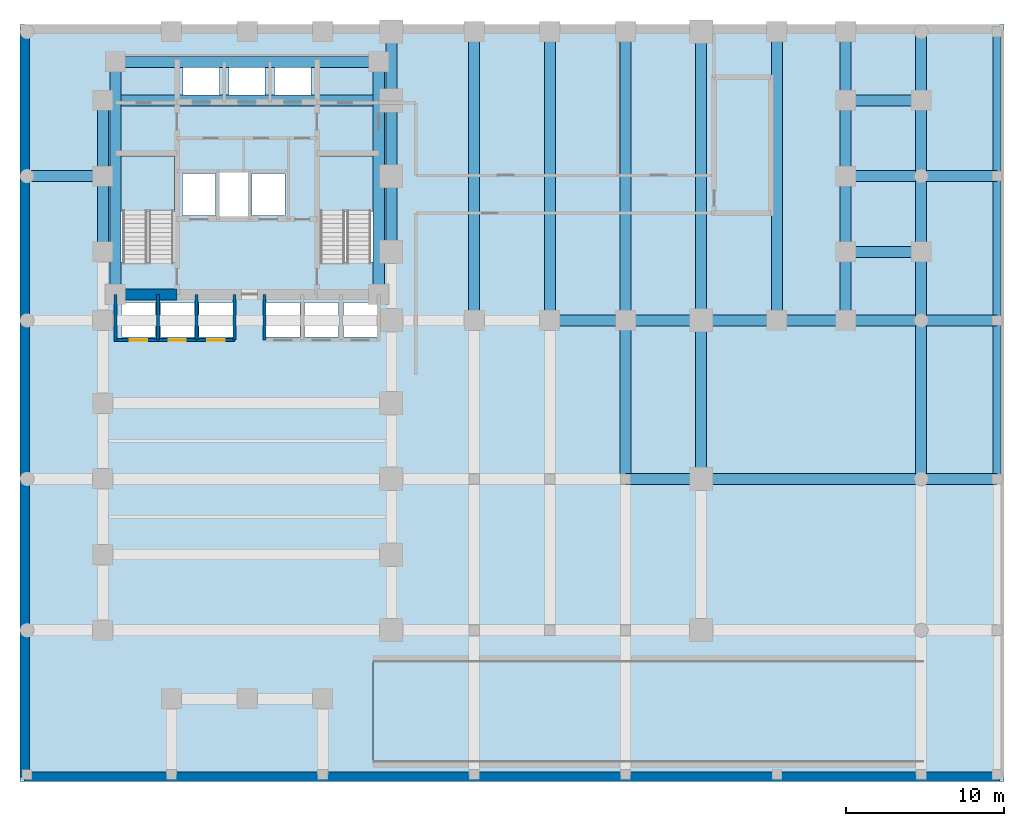
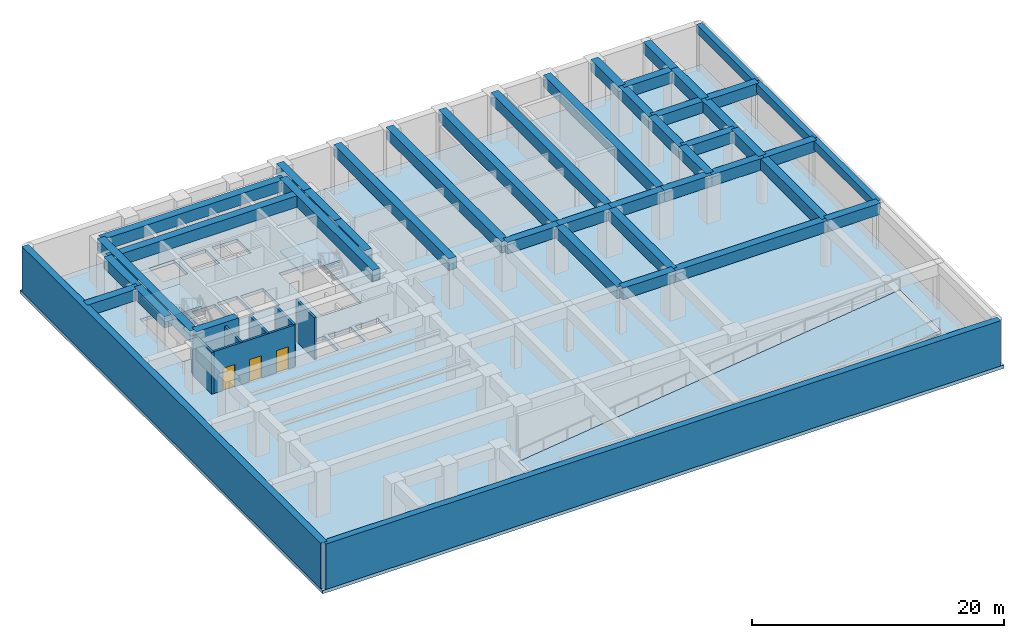
# One storey, part 2 of 6: 42 beams, 9 walls, 4 slabs, 3 doors, 3 openings, 2 elements without a shape of their own.
"""IFC4 building model written with IfcOpenShell, lengths in metres."""

import ifcopenshell
import ifcopenshell.guid

model = None  # the IFC model being written
_history = None  # IfcOwnerHistory: only IFC2X3 demands one
_inside = {}  # id of a spatial element -> (the spatial element, [elements in it])
_under = {}  # id of a project, library or spatial element -> (it, [spatial elements below it])
_declared = {}  # id of a project -> (the project, [libraries it declares])
_typed = {}  # id of a type object -> (the type object, [elements of that type])
_made_of = {}  # id of a material, layer set ... -> (it, [elements and type objects made of it])


def new_model(schema):
    """Start an empty IFC model of exactly this schema.

    Asked for "IFC4X3", IfcOpenShell would pick the latest addendum, in which some entities
    have other attributes; the version numbers below select the first issue.
    IFC2X3 requires an IfcOwnerHistory on every rooted entity: one is made here for all.
    """
    global model, _history
    if schema == "IFC4X3":
        model = ifcopenshell.file(schema_version=(4, 3, 0, 0))
    else:
        model = ifcopenshell.file(schema=schema)
    _inside.clear()
    _under.clear()
    _declared.clear()
    _typed.clear()
    _made_of.clear()
    _history = None
    if model.schema == "IFC2X3":
        org = make("IfcOrganization", Name="unknown")
        user = make(
            "IfcPersonAndOrganization",
            ThePerson=make("IfcPerson", FamilyName="unknown"),
            TheOrganization=org,
        )
        app = make(
            "IfcApplication",
            ApplicationDeveloper=org,
            Version="unknown",
            ApplicationFullName="unknown",
            ApplicationIdentifier="unknown",
        )
        _history = make(
            "IfcOwnerHistory",
            OwningUser=user,
            OwningApplication=app,
            ChangeAction="ADDED",
            CreationDate=0,
        )
    return model


def make(cls, **values):
    """One entity of the class cls with the attributes given. An attribute that is None is left unset."""
    return model.create_entity(
        cls, **{name: value for name, value in values.items() if value is not None}
    )


def rooted(cls, **values):
    """An entity with a GlobalId (a new one), such as an element, a storey or a relation."""
    return make(cls, GlobalId=ifcopenshell.guid.new(), OwnerHistory=_history, **values)


def si_unit(unit_type, name, prefix=None):
    """IfcSIUnit, for example si_unit("LENGTHUNIT", "METRE", prefix="MILLI")."""
    return make("IfcSIUnit", UnitType=unit_type, Prefix=prefix, Name=name)


def assignment(units):
    """IfcUnitAssignment: the units of a project."""
    return None if units is None else make("IfcUnitAssignment", Units=units)


def point(xyz):
    """IfcCartesianPoint."""
    return None if xyz is None else make("IfcCartesianPoint", Coordinates=xyz)


def direction(xyz):
    """IfcDirection."""
    return None if xyz is None else make("IfcDirection", DirectionRatios=xyz)


def frame(location, z_axis=None, x_axis=None):
    """IfcAxis2Placement3D, a coordinate frame: its origin and axes. An axis left out is left unset."""
    return make(
        "IfcAxis2Placement3D",
        Location=point(location),
        Axis=direction(z_axis),
        RefDirection=direction(x_axis),
    )


def frame_2d(location, x_axis=None):
    """IfcAxis2Placement2D, a coordinate frame in the plane: its origin and x axis."""
    return make(
        "IfcAxis2Placement2D", Location=point(location), RefDirection=direction(x_axis)
    )


def origin():
    """The frame at (0, 0, 0) with its axes left unset."""
    return frame((0.0, 0.0, 0.0))


def origin_2d():
    """The frame at (0, 0) in the plane with its x axis left unset."""
    return frame_2d((0.0, 0.0))


def place(relative_to, where):
    """IfcLocalPlacement: puts the frame where relative to a parent placement (None: the world)."""
    return make(
        "IfcLocalPlacement", PlacementRelTo=relative_to, RelativePlacement=where
    )


def context(
    kind, dimensions, precision=None, world=None, true_north=None, identifier=None
):
    """IfcGeometricRepresentationContext, for example the 3D "Model" context."""
    return make(
        "IfcGeometricRepresentationContext",
        ContextIdentifier=identifier,
        ContextType=kind,
        CoordinateSpaceDimension=dimensions,
        Precision=precision,
        WorldCoordinateSystem=world,
        TrueNorth=true_north,
    )


def subcontext(parent, identifier, kind, view, scale=None):
    """IfcGeometricRepresentationSubContext, for example "Body" below "Model"."""
    return make(
        "IfcGeometricRepresentationSubContext",
        ContextIdentifier=identifier,
        ContextType=kind,
        ParentContext=parent,
        TargetScale=scale,
        TargetView=view,
    )


def project(units=None, contexts=None):
    """IfcProject with its units and contexts."""
    return rooted(
        "IfcProject",
        Name="project",
        RepresentationContexts=contexts,
        UnitsInContext=assignment(units),
    )


def spatial(cls, under=None, at=None, **own):
    """A site, building, storey or space (cls), placed at a placement, below another one or the project."""
    s = rooted(cls, ObjectPlacement=at, **own)
    if under is not None:
        _under.setdefault(under.id(), (under, []))[1].append(s)
    return s


def polyline(points):
    """IfcPolyline through the points."""
    return make("IfcPolyline", Points=[point(p) for p in points])


def profile(cls, at=None, kind="AREA", **sizes):
    """A parametric profile (cls). Its sizes go by their IFC names, for example OverallWidth=200.0."""
    return make(cls, ProfileType=kind, Position=at, **sizes)


def rectangle(**sizes):
    """IfcRectangleProfileDef."""
    return profile("IfcRectangleProfileDef", **sizes)


def outline(outer, holes=None, kind="AREA"):
    """IfcArbitraryClosedProfileDef: a profile drawn as a closed curve; with holes, ...WithVoids."""
    if holes is None:
        return make("IfcArbitraryClosedProfileDef", ProfileType=kind, OuterCurve=outer)
    return make(
        "IfcArbitraryProfileDefWithVoids",
        ProfileType=kind,
        OuterCurve=outer,
        InnerCurves=holes,
    )


def extrude(swept, where, along, depth):
    """IfcExtrudedAreaSolid: the profile swept, set in the frame where, extruded along a direction by depth."""
    return make(
        "IfcExtrudedAreaSolid",
        SweptArea=swept,
        Position=where,
        ExtrudedDirection=direction(along),
        Depth=depth,
    )


def shape(context_of_items, identifier, shape_type, items):
    """IfcShapeRepresentation: the items that make up one representation, for example the "Body"."""
    return make(
        "IfcShapeRepresentation",
        ContextOfItems=context_of_items,
        RepresentationIdentifier=identifier,
        RepresentationType=shape_type,
        Items=items,
    )


def material(Name=None, Category=None):
    """IfcMaterial."""
    return make("IfcMaterial", Name=Name, Category=Category)


def layer(
    of_material, thickness, ventilated=None, Name=None, Category=None, Priority=None
):
    """IfcMaterialLayer: one layer of a wall or slab, of a material (None: an air gap)."""
    return make(
        "IfcMaterialLayer",
        Material=of_material,
        LayerThickness=thickness,
        IsVentilated=ventilated,
        Name=Name,
        Category=Category,
        Priority=Priority,
    )


def layer_set(layers, Name=None):
    """IfcMaterialLayerSet."""
    return make("IfcMaterialLayerSet", MaterialLayers=layers, LayerSetName=Name)


def material_profile(
    of_material, cross_section, Name=None, Category=None, Priority=None
):
    """IfcMaterialProfile: a cross section and its material."""
    return make(
        "IfcMaterialProfile",
        Name=Name,
        Material=of_material,
        Profile=cross_section,
        Priority=Priority,
        Category=Category,
    )


def profile_set(profiles, Name=None, composite=None):
    """IfcMaterialProfileSet."""
    return make(
        "IfcMaterialProfileSet",
        Name=Name,
        MaterialProfiles=profiles,
        CompositeProfile=composite,
    )


def made_of(thing, what):
    """Note that an element or type object is made of a material, layer set ...; save() writes the relation."""
    if what is not None:
        _made_of.setdefault(what.id(), (what, []))[1].append(thing)
    return thing


def type_object(cls, material=None, **own):
    """A type object (cls), such as IfcWallType, which elements share."""
    return made_of(rooted(cls, **own), material)


def element(
    cls,
    number,
    at=None,
    inside=None,
    cuts=None,
    type_object=None,
    material=None,
    context=None,
    identifier="Body",
    shape_type=None,
    held_by="IfcProductDefinitionShape",
    body=None,
    shapes=None,
    **own,
):
    """One element of the class cls, such as IfcWall. Its Tag is "e" and its number.

    at: its placement. inside: the storey or other place that contains it. cuts: it is an
    opening in that element (IfcRelVoidsElement). A single representation is given by context,
    identifier, shape_type and body (its items); several are given by shapes. held_by: the class
    of the entity that holds the representations. save() writes the other relations.
    """
    e = rooted(cls, Tag="e%d" % number, ObjectPlacement=at, **own)
    if body is not None:
        shapes = [shape(context, identifier, shape_type, body)]
    if shapes is not None:
        e.Representation = make(held_by, Representations=shapes)
    if inside is not None:
        _inside.setdefault(inside.id(), (inside, []))[1].append(e)
    if cuts is not None:
        rooted(
            "IfcRelVoidsElement", RelatingBuildingElement=cuts, RelatedOpeningElement=e
        )
    if type_object is not None:
        _typed.setdefault(type_object.id(), (type_object, []))[1].append(e)
    return made_of(e, material)


def fill(opening, filler):
    """IfcRelFillsElement: the door or window that sits in an opening."""
    return rooted(
        "IfcRelFillsElement",
        RelatingOpeningElement=opening,
        RelatedBuildingElement=filler,
    )


def aggregate(whole, parts):
    """IfcRelAggregates: a whole, such as a stair, and the parts it consists of."""
    return rooted("IfcRelAggregates", RelatingObject=whole, RelatedObjects=parts)


def save(model, path):
    """Write the relations noted so far, then the file.

    IfcRelAggregates (storeys below a building ...), IfcRelContainedInSpatialStructure (elements
    in a storey), IfcRelDefinesByType, IfcRelAssociatesMaterial and IfcRelDeclares: one each for
    every whole, place, type object, material and project.
    """
    for whole, parts in _under.values():
        aggregate(whole, parts)
    for where, things in _inside.values():
        rooted(
            "IfcRelContainedInSpatialStructure",
            RelatedElements=things,
            RelatingStructure=where,
        )
    for kind, things in _typed.values():
        rooted("IfcRelDefinesByType", RelatedObjects=things, RelatingType=kind)
    for what, things in _made_of.values():
        rooted("IfcRelAssociatesMaterial", RelatedObjects=things, RelatingMaterial=what)
    for by, libraries in _declared.values():
        rooted("IfcRelDeclares", RelatingContext=by, RelatedDefinitions=libraries)
    model.write(path)


model = new_model("IFC4")

# Units and contexts
model_context = context("Model", 3, precision=1e-05, world=origin(), true_north=direction((0.0, 1.0)))
body_context = subcontext(model_context, "Body", "Model", "MODEL_VIEW")
ifc_project = project(units=[si_unit("LENGTHUNIT", "METRE"), si_unit("AREAUNIT", "SQUARE_METRE"), si_unit("VOLUMEUNIT", "CUBIC_METRE"), si_unit("PLANEANGLEUNIT", "RADIAN"), si_unit("MASSUNIT", "GRAM", prefix="KILO")], contexts=[model_context])

# Site, building, storey
site_placement = place(None, origin())
site = spatial("IfcSite", under=ifc_project, at=site_placement, CompositionType="ELEMENT")
building_placement = place(site_placement, origin())
building = spatial("IfcBuilding", under=site, at=building_placement, Name="Orvandelia Arch Residences", CompositionType="ELEMENT")
storey_placement = place(building_placement, frame((0.0, 0.0, -4.39990234375)))
storey = spatial("IfcBuildingStorey", under=building, at=storey_placement, Name="B1", CompositionType="ELEMENT", Elevation=-4.39990234375)

# Beams
ifc_material_1 = material(Name="Concrete C50/60", Category="concrete")
ifc_material_profile_1 = material_profile(ifc_material_1, rectangle(XDim=0.5, YDim=0.85009765625, at=origin_2d()), Name="Concrete C50/60", Category="concrete")
ifc_profile_set_1 = profile_set([ifc_material_profile_1], Name="Concrete C50/60")
beam_type_1 = type_object("IfcBeamType", Name="BM-RC-500x850", PredefinedType="T_BEAM", material=ifc_profile_set_1)
beam_1_placement = place(storey_placement, frame((61.949951171875, 19.199951171875, 3.974853515625), z_axis=(0.0, 1.0, 0.0), x_axis=(-1.0, 0.0, 0.0)))
element("IfcBeam", 1, at=beam_1_placement, inside=storey, type_object=beam_type_1, Name="Basement Perimeter Edge Beam B1-192", PredefinedType="T_BEAM", context=body_context, shape_type="SweptSolid", body=[
    extrude(rectangle(XDim=0.5, YDim=0.85009765625, at=origin_2d()), origin(), (0.0, 0.0, 1.0), 10.050048828125),
])
beam_2_placement = place(storey_placement, frame((61.949951171875, 29.25, 3.974853515625), z_axis=(0.0, 1.0, 0.0), x_axis=(-1.0, 0.0, 0.0)))
element("IfcBeam", 2, at=beam_2_placement, inside=storey, type_object=beam_type_1, Name="Basement Perimeter Edge Beam B1-292", PredefinedType="T_BEAM", context=body_context, shape_type="SweptSolid", body=[
    extrude(rectangle(XDim=0.5, YDim=0.85009765625, at=origin_2d()), origin(), (0.0, 0.0, 1.0), 9.14990234375),
])
beam_3_placement = place(storey_placement, frame((61.949951171875, 38.39990234375, 3.974853515625), z_axis=(0.0, 1.0, 0.0), x_axis=(-1.0, 0.0, 0.0)))
element("IfcBeam", 3, at=beam_3_placement, inside=storey, type_object=beam_type_1, Name="Basement Perimeter Edge Beam B1-384", PredefinedType="T_BEAM", context=body_context, shape_type="SweptSolid", body=[
    extrude(rectangle(XDim=0.5, YDim=0.85009765625, at=origin_2d()), origin(), (0.0, 0.0, 1.0), 9.150146484375),
])
ifc_material_2 = material(Name="Concrete C60/75", Category="concrete")
ifc_material_profile_2 = material_profile(ifc_material_2, rectangle(XDim=0.699951171875, YDim=1.10009765625, at=origin_2d()), Name="Concrete C60/75", Category="concrete")
ifc_profile_set_2 = profile_set([ifc_material_profile_2], Name="Concrete C60/75")
beam_type_2 = type_object("IfcBeamType", Name="BM-RC-700x1100", PredefinedType="BEAM", material=ifc_profile_set_2)
beam_4_placement = place(storey_placement, frame((5.25, 33.60009765625, 3.849853515625), z_axis=(0.0, 1.0, 0.0), x_axis=(-1.0, 0.0, 0.0)))
element("IfcBeam", 4, at=beam_4_placement, inside=storey, type_object=beam_type_2, Name="Structural Frame Beam B1-NS-006", PredefinedType="BEAM", context=body_context, shape_type="SweptSolid", body=[
    extrude(rectangle(XDim=0.699951171875, YDim=1.10009765625, at=origin_2d()), origin(), (0.0, 0.0, 1.0), 4.7998046875),
])
beam_5_placement = place(storey_placement, frame((5.25, 38.39990234375, 3.849853515625), z_axis=(0.0, 1.0, 0.0), x_axis=(-1.0, 0.0, 0.0)))
element("IfcBeam", 5, at=beam_5_placement, inside=storey, type_object=beam_type_2, Name="Structural Frame Beam B1-NS-007", PredefinedType="BEAM", context=body_context, shape_type="SweptSolid", body=[
    extrude(rectangle(XDim=0.699951171875, YDim=1.10009765625, at=origin_2d()), origin(), (0.0, 0.0, 1.0), 4.800048828125),
])
for number, where, z_axis, x_axis, name in (
    (6, (6.050048828125, 30.89990234375, 3.849853515625), (0.0, 1.0, 0.0), (-1.0, 0.0, 0.0), "Structural Frame Beam B1-NS-008"),
    (7, (22.75, 30.89990234375, 3.849853515625), (0.0, 1.0, 0.0), (-1.0, 0.0, 0.0), "Structural Frame Beam B1-NS-011"),
):
    element("IfcBeam", number, at=place(storey_placement, frame(where, z_axis=z_axis, x_axis=x_axis)), inside=storey, type_object=beam_type_2, Name=name, PredefinedType="BEAM", context=body_context, shape_type="SweptSolid", body=[
        extrude(rectangle(XDim=0.699951171875, YDim=1.10009765625, at=origin_2d()), origin(), (0.0, 0.0, 1.0), 14.75),
    ])
beam_6_placement = place(storey_placement, frame((23.550048828125, 33.60009765625, 3.849853515625), z_axis=(0.0, 1.0, 0.0), x_axis=(-1.0, 0.0, 0.0)))
element("IfcBeam", 8, at=beam_6_placement, inside=storey, type_object=beam_type_2, Name="Structural Frame Beam B1-NS-017", PredefinedType="BEAM", context=body_context, shape_type="SweptSolid", body=[
    extrude(rectangle(XDim=0.699951171875, YDim=1.10009765625, at=origin_2d()), origin(), (0.0, 0.0, 1.0), 4.7998046875),
])
beam_7_placement = place(storey_placement, frame((23.550048828125, 38.39990234375, 3.849853515625), z_axis=(0.0, 1.0, 0.0), x_axis=(-1.0, 0.0, 0.0)))
element("IfcBeam", 9, at=beam_7_placement, inside=storey, type_object=beam_type_2, Name="Structural Frame Beam B1-NS-018", PredefinedType="BEAM", context=body_context, shape_type="SweptSolid", body=[
    extrude(rectangle(XDim=0.699951171875, YDim=1.10009765625, at=origin_2d()), origin(), (0.0, 0.0, 1.0), 4.800048828125),
])
beam_8_placement = place(storey_placement, frame((23.550048828125, 43.199951171875, 3.849853515625), z_axis=(0.0, 1.0, 0.0), x_axis=(-1.0, 0.0, 0.0)))
element("IfcBeam", 10, at=beam_8_placement, inside=storey, type_object=beam_type_2, Name="Structural Frame Beam B1-NS-019", PredefinedType="BEAM", context=body_context, shape_type="SweptSolid", body=[
    extrude(rectangle(XDim=0.699951171875, YDim=1.10009765625, at=origin_2d()), origin(), (0.0, 0.0, 1.0), 4.35009765625),
])
for number, where, z_axis, x_axis, name in (
    (11, (28.800048828125, 29.25, 3.849853515625), (0.0, 1.0, 0.0), (-1.0, 0.0, 0.0), "Structural Frame Beam B1-NS-023"),
    (12, (33.60009765625, 29.25, 3.849853515625), (0.0, 1.0, 0.0), (-1.0, 0.0, 0.0), "Structural Frame Beam B1-NS-026"),
):
    element("IfcBeam", number, at=place(storey_placement, frame(where, z_axis=z_axis, x_axis=x_axis)), inside=storey, type_object=beam_type_2, Name=name, PredefinedType="BEAM", context=body_context, shape_type="SweptSolid", body=[
        extrude(rectangle(XDim=0.699951171875, YDim=1.10009765625, at=origin_2d()), origin(), (0.0, 0.0, 1.0), 18.300048828125),
    ])
beam_9_placement = place(storey_placement, frame((38.39990234375, 19.199951171875, 3.849853515625), z_axis=(0.0, 1.0, 0.0), x_axis=(-1.0, 0.0, 0.0)))
element("IfcBeam", 13, at=beam_9_placement, inside=storey, type_object=beam_type_2, Name="Structural Frame Beam B1-NS-029", PredefinedType="BEAM", context=body_context, shape_type="SweptSolid", body=[
    extrude(rectangle(XDim=0.699951171875, YDim=1.10009765625, at=origin_2d()), origin(), (0.0, 0.0, 1.0), 10.050048828125),
])
beam_10_placement = place(storey_placement, frame((38.39990234375, 29.25, 3.849853515625), z_axis=(0.0, 1.0, 0.0), x_axis=(-1.0, 0.0, 0.0)))
element("IfcBeam", 14, at=beam_10_placement, inside=storey, type_object=beam_type_2, Name="Structural Frame Beam B1-NS-030", PredefinedType="BEAM", context=body_context, shape_type="SweptSolid", body=[
    extrude(rectangle(XDim=0.699951171875, YDim=1.10009765625, at=origin_2d()), origin(), (0.0, 0.0, 1.0), 18.300048828125),
])
beam_11_placement = place(storey_placement, frame((43.199951171875, 19.199951171875, 3.849853515625), z_axis=(0.0, 1.0, 0.0), x_axis=(-1.0, 0.0, 0.0)))
element("IfcBeam", 15, at=beam_11_placement, inside=storey, type_object=beam_type_2, Name="Structural Frame Beam B1-NS-032", PredefinedType="BEAM", context=body_context, shape_type="SweptSolid", body=[
    extrude(rectangle(XDim=0.699951171875, YDim=1.10009765625, at=origin_2d()), origin(), (0.0, 0.0, 1.0), 10.050048828125),
])
for number, where, z_axis, x_axis, name in (
    (16, (43.199951171875, 29.25, 3.849853515625), (0.0, 1.0, 0.0), (-1.0, 0.0, 0.0), "Structural Frame Beam B1-NS-033"),
    (17, (48.0, 29.25, 3.849853515625), (0.0, 1.0, 0.0), (-1.0, 0.0, 0.0), "Structural Frame Beam B1-NS-034"),
):
    element("IfcBeam", number, at=place(storey_placement, frame(where, z_axis=z_axis, x_axis=x_axis)), inside=storey, type_object=beam_type_2, Name=name, PredefinedType="BEAM", context=body_context, shape_type="SweptSolid", body=[
        extrude(rectangle(XDim=0.699951171875, YDim=1.10009765625, at=origin_2d()), origin(), (0.0, 0.0, 1.0), 18.300048828125),
    ])
beam_12_placement = place(storey_placement, frame((52.35009765625, 29.25, 3.849853515625), z_axis=(0.0, 1.0, 0.0), x_axis=(-1.0, 0.0, 0.0)))
element("IfcBeam", 18, at=beam_12_placement, inside=storey, type_object=beam_type_2, Name="Structural Frame Beam B1-NS-035", PredefinedType="BEAM", context=body_context, shape_type="SweptSolid", body=[
    extrude(rectangle(XDim=0.699951171875, YDim=1.10009765625, at=origin_2d()), origin(), (0.0, 0.0, 1.0), 4.35009765625),
])
beam_13_placement = place(storey_placement, frame((52.35009765625, 33.60009765625, 3.849853515625), z_axis=(0.0, 1.0, 0.0), x_axis=(-1.0, 0.0, 0.0)))
element("IfcBeam", 19, at=beam_13_placement, inside=storey, type_object=beam_type_2, Name="Structural Frame Beam B1-NS-036", PredefinedType="BEAM", context=body_context, shape_type="SweptSolid", body=[
    extrude(rectangle(XDim=0.699951171875, YDim=1.10009765625, at=origin_2d()), origin(), (0.0, 0.0, 1.0), 4.7998046875),
])
beam_14_placement = place(storey_placement, frame((52.35009765625, 38.39990234375, 3.849853515625), z_axis=(0.0, 1.0, 0.0), x_axis=(-1.0, 0.0, 0.0)))
element("IfcBeam", 20, at=beam_14_placement, inside=storey, type_object=beam_type_2, Name="Structural Frame Beam B1-NS-037", PredefinedType="BEAM", context=body_context, shape_type="SweptSolid", body=[
    extrude(rectangle(XDim=0.699951171875, YDim=1.10009765625, at=origin_2d()), origin(), (0.0, 0.0, 1.0), 4.800048828125),
])
beam_15_placement = place(storey_placement, frame((52.35009765625, 43.199951171875, 3.849853515625), z_axis=(0.0, 1.0, 0.0), x_axis=(-1.0, 0.0, 0.0)))
element("IfcBeam", 21, at=beam_15_placement, inside=storey, type_object=beam_type_2, Name="Structural Frame Beam B1-NS-038", PredefinedType="BEAM", context=body_context, shape_type="SweptSolid", body=[
    extrude(rectangle(XDim=0.699951171875, YDim=1.10009765625, at=origin_2d()), origin(), (0.0, 0.0, 1.0), 4.35009765625),
])
beam_16_placement = place(storey_placement, frame((57.14990234375, 19.199951171875, 3.849853515625), z_axis=(0.0, 1.0, 0.0), x_axis=(-1.0, 0.0, 0.0)))
element("IfcBeam", 22, at=beam_16_placement, inside=storey, type_object=beam_type_2, Name="Structural Frame Beam B1-NS-041", PredefinedType="BEAM", context=body_context, shape_type="SweptSolid", body=[
    extrude(rectangle(XDim=0.699951171875, YDim=1.10009765625, at=origin_2d()), origin(), (0.0, 0.0, 1.0), 10.050048828125),
])
beam_17_placement = place(storey_placement, frame((57.14990234375, 29.25, 3.849853515625), z_axis=(0.0, 1.0, 0.0), x_axis=(-1.0, 0.0, 0.0)))
element("IfcBeam", 23, at=beam_17_placement, inside=storey, type_object=beam_type_2, Name="Structural Frame Beam B1-NS-042", PredefinedType="BEAM", context=body_context, shape_type="SweptSolid", body=[
    extrude(rectangle(XDim=0.699951171875, YDim=1.10009765625, at=origin_2d()), origin(), (0.0, 0.0, 1.0), 4.35009765625),
])
beam_18_placement = place(storey_placement, frame((57.14990234375, 33.60009765625, 3.849853515625), z_axis=(0.0, 1.0, 0.0), x_axis=(-1.0, 0.0, 0.0)))
element("IfcBeam", 24, at=beam_18_placement, inside=storey, type_object=beam_type_2, Name="Structural Frame Beam B1-NS-043", PredefinedType="BEAM", context=body_context, shape_type="SweptSolid", body=[
    extrude(rectangle(XDim=0.699951171875, YDim=1.10009765625, at=origin_2d()), origin(), (0.0, 0.0, 1.0), 4.7998046875),
])
beam_19_placement = place(storey_placement, frame((57.14990234375, 38.39990234375, 3.849853515625), z_axis=(0.0, 1.0, 0.0), x_axis=(-1.0, 0.0, 0.0)))
element("IfcBeam", 25, at=beam_19_placement, inside=storey, type_object=beam_type_2, Name="Structural Frame Beam B1-NS-044", PredefinedType="BEAM", context=body_context, shape_type="SweptSolid", body=[
    extrude(rectangle(XDim=0.699951171875, YDim=1.10009765625, at=origin_2d()), origin(), (0.0, 0.0, 1.0), 4.800048828125),
])
beam_20_placement = place(storey_placement, frame((57.14990234375, 43.199951171875, 3.849853515625), z_axis=(0.0, 1.0, 0.0), x_axis=(-1.0, 0.0, 0.0)))
element("IfcBeam", 26, at=beam_20_placement, inside=storey, type_object=beam_type_2, Name="Structural Frame Beam B1-NS-045", PredefinedType="BEAM", context=body_context, shape_type="SweptSolid", body=[
    extrude(rectangle(XDim=0.699951171875, YDim=1.10009765625, at=origin_2d()), origin(), (0.0, 0.0, 1.0), 4.35009765625),
])
beam_21_placement = place(storey_placement, frame((38.39990234375, 19.199951171875, 3.849853515625), z_axis=(1.0, 0.0, 0.0), x_axis=(0.0, 1.0, 0.0)))
element("IfcBeam", 27, at=beam_21_placement, inside=storey, type_object=beam_type_2, Name="Structural Frame Girder B1-EW-062", PredefinedType="BEAM", context=body_context, shape_type="SweptSolid", body=[
    extrude(rectangle(XDim=0.699951171875, YDim=1.10009765625, at=origin_2d()), origin(), (0.0, 0.0, 1.0), 4.800048828125),
])
beam_22_placement = place(storey_placement, frame((43.199951171875, 19.199951171875, 3.849853515625), z_axis=(1.0, 0.0, 0.0), x_axis=(0.0, 1.0, 0.0)))
element("IfcBeam", 28, at=beam_22_placement, inside=storey, type_object=beam_type_2, Name="Structural Frame Girder B1-EW-063", PredefinedType="BEAM", context=body_context, shape_type="SweptSolid", body=[
    extrude(rectangle(XDim=0.699951171875, YDim=1.10009765625, at=origin_2d()), origin(), (0.0, 0.0, 1.0), 13.949951171875),
])
beam_23_placement = place(storey_placement, frame((57.14990234375, 19.199951171875, 3.849853515625), z_axis=(1.0, 0.0, 0.0), x_axis=(0.0, 1.0, 0.0)))
element("IfcBeam", 29, at=beam_23_placement, inside=storey, type_object=beam_type_2, Name="Structural Frame Girder B1-EW-064", PredefinedType="BEAM", context=body_context, shape_type="SweptSolid", body=[
    extrude(rectangle(XDim=0.699951171875, YDim=1.10009765625, at=origin_2d()), origin(), (0.0, 0.0, 1.0), 4.800048828125),
])
beam_24_placement = place(storey_placement, frame((33.60009765625, 29.25, 3.849853515625), z_axis=(1.0, 0.0, 0.0), x_axis=(0.0, 1.0, 0.0)))
element("IfcBeam", 30, at=beam_24_placement, inside=storey, type_object=beam_type_2, Name="Structural Frame Girder B1-EW-070", PredefinedType="BEAM", context=body_context, shape_type="SweptSolid", body=[
    extrude(rectangle(XDim=0.699951171875, YDim=1.10009765625, at=origin_2d()), origin(), (0.0, 0.0, 1.0), 4.7998046875),
])
for number, where, z_axis, x_axis, name in (
    (31, (38.39990234375, 29.25, 3.849853515625), (1.0, 0.0, 0.0), (0.0, 1.0, 0.0), "Structural Frame Girder B1-EW-071"),
    (32, (43.199951171875, 29.25, 3.849853515625), (1.0, 0.0, 0.0), (0.0, 1.0, 0.0), "Structural Frame Girder B1-EW-072"),
):
    element("IfcBeam", number, at=place(storey_placement, frame(where, z_axis=z_axis, x_axis=x_axis)), inside=storey, type_object=beam_type_2, Name=name, PredefinedType="BEAM", context=body_context, shape_type="SweptSolid", body=[
        extrude(rectangle(XDim=0.699951171875, YDim=1.10009765625, at=origin_2d()), origin(), (0.0, 0.0, 1.0), 4.800048828125),
    ])
beam_25_placement = place(storey_placement, frame((48.0, 29.25, 3.849853515625), z_axis=(1.0, 0.0, 0.0), x_axis=(0.0, 1.0, 0.0)))
element("IfcBeam", 33, at=beam_25_placement, inside=storey, type_object=beam_type_2, Name="Structural Frame Girder B1-EW-073", PredefinedType="BEAM", context=body_context, shape_type="SweptSolid", body=[
    extrude(rectangle(XDim=0.699951171875, YDim=1.10009765625, at=origin_2d()), origin(), (0.0, 0.0, 1.0), 4.35009765625),
])
beam_26_placement = place(storey_placement, frame((52.35009765625, 29.25, 3.849853515625), z_axis=(1.0, 0.0, 0.0), x_axis=(0.0, 1.0, 0.0)))
element("IfcBeam", 34, at=beam_26_placement, inside=storey, type_object=beam_type_2, Name="Structural Frame Girder B1-EW-074", PredefinedType="BEAM", context=body_context, shape_type="SweptSolid", body=[
    extrude(rectangle(XDim=0.699951171875, YDim=1.10009765625, at=origin_2d()), origin(), (0.0, 0.0, 1.0), 4.7998046875),
])
beam_27_placement = place(storey_placement, frame((57.14990234375, 29.25, 3.849853515625), z_axis=(1.0, 0.0, 0.0), x_axis=(0.0, 1.0, 0.0)))
element("IfcBeam", 35, at=beam_27_placement, inside=storey, type_object=beam_type_2, Name="Structural Frame Girder B1-EW-075", PredefinedType="BEAM", context=body_context, shape_type="SweptSolid", body=[
    extrude(rectangle(XDim=0.699951171875, YDim=1.10009765625, at=origin_2d()), origin(), (0.0, 0.0, 1.0), 4.800048828125),
])
beam_28_placement = place(storey_placement, frame((52.35009765625, 33.60009765625, 3.849853515625), z_axis=(1.0, 0.0, 0.0), x_axis=(0.0, 1.0, 0.0)))
element("IfcBeam", 36, at=beam_28_placement, inside=storey, type_object=beam_type_2, Name="Structural Frame Girder B1-EW-078", PredefinedType="BEAM", context=body_context, shape_type="SweptSolid", body=[
    extrude(rectangle(XDim=0.699951171875, YDim=1.10009765625, at=origin_2d()), origin(), (0.0, 0.0, 1.0), 4.7998046875),
])
beam_29_placement = place(storey_placement, frame((0.449951171875, 38.39990234375, 3.849853515625), z_axis=(1.0, 0.0, 0.0), x_axis=(0.0, 1.0, 0.0)))
element("IfcBeam", 37, at=beam_29_placement, inside=storey, type_object=beam_type_2, Name="Structural Frame Girder B1-EW-079", PredefinedType="BEAM", context=body_context, shape_type="SweptSolid", body=[
    extrude(rectangle(XDim=0.699951171875, YDim=1.10009765625, at=origin_2d()), origin(), (0.0, 0.0, 1.0), 4.800048828125),
])
beam_30_placement = place(storey_placement, frame((52.35009765625, 38.39990234375, 3.849853515625), z_axis=(1.0, 0.0, 0.0), x_axis=(0.0, 1.0, 0.0)))
element("IfcBeam", 38, at=beam_30_placement, inside=storey, type_object=beam_type_2, Name="Structural Frame Girder B1-EW-081", PredefinedType="BEAM", context=body_context, shape_type="SweptSolid", body=[
    extrude(rectangle(XDim=0.699951171875, YDim=1.10009765625, at=origin_2d()), origin(), (0.0, 0.0, 1.0), 4.7998046875),
])
beam_31_placement = place(storey_placement, frame((57.14990234375, 38.39990234375, 3.849853515625), z_axis=(1.0, 0.0, 0.0), x_axis=(0.0, 1.0, 0.0)))
element("IfcBeam", 39, at=beam_31_placement, inside=storey, type_object=beam_type_2, Name="Structural Frame Girder B1-EW-082", PredefinedType="BEAM", context=body_context, shape_type="SweptSolid", body=[
    extrude(rectangle(XDim=0.699951171875, YDim=1.10009765625, at=origin_2d()), origin(), (0.0, 0.0, 1.0), 4.800048828125),
])
beam_32_placement = place(storey_placement, frame((5.25, 43.199951171875, 3.849853515625), z_axis=(1.0, 0.0, 0.0), x_axis=(0.0, 1.0, 0.0)))
element("IfcBeam", 40, at=beam_32_placement, inside=storey, type_object=beam_type_2, Name="Structural Frame Girder B1-EW-083", PredefinedType="BEAM", context=body_context, shape_type="SweptSolid", body=[
    extrude(rectangle(XDim=0.699951171875, YDim=1.10009765625, at=origin_2d()), origin(), (0.0, 0.0, 1.0), 18.300048828125),
])
beam_33_placement = place(storey_placement, frame((52.35009765625, 43.199951171875, 3.849853515625), z_axis=(1.0, 0.0, 0.0), x_axis=(0.0, 1.0, 0.0)))
element("IfcBeam", 41, at=beam_33_placement, inside=storey, type_object=beam_type_2, Name="Structural Frame Girder B1-EW-084", PredefinedType="BEAM", context=body_context, shape_type="SweptSolid", body=[
    extrude(rectangle(XDim=0.699951171875, YDim=1.10009765625, at=origin_2d()), origin(), (0.0, 0.0, 1.0), 4.7998046875),
])
beam_34_placement = place(storey_placement, frame((6.050048828125, 45.64990234375, 3.849853515625), z_axis=(1.0, 0.0, 0.0), x_axis=(0.0, 1.0, 0.0)))
element("IfcBeam", 42, at=beam_34_placement, inside=storey, type_object=beam_type_2, Name="Structural Frame Girder B1-EW-085", PredefinedType="BEAM", context=body_context, shape_type="SweptSolid", body=[
    extrude(rectangle(XDim=0.699951171875, YDim=1.10009765625, at=origin_2d()), origin(), (0.0, 0.0, 1.0), 16.699951171875),
])

# Slab
ifc_material_3 = material(Name="Concrete C40/50", Category="concrete")
ifc_layer_1 = layer(ifc_material_3, 0.320068359375, Name="Concrete C40/50", Category="concrete")
ifc_layer_set_1 = layer_set([ifc_layer_1], Name="Concrete C40/50")
slab_type_1 = type_object("IfcSlabType", Name="SLB-BSM-320", PredefinedType="FLOOR", material=ifc_layer_set_1)
slab_1_placement = place(storey_placement, frame((0.0, 0.0, -0.320068359375)))
element("IfcSlab", 43, at=slab_1_placement, inside=storey, type_object=slab_type_1, Name="Structural Floor Slab B1-1", PredefinedType="FLOOR", context=body_context, shape_type="SweptSolid", body=[
    extrude(outline(polyline([(0.0, 0.0), (62.39990234375, 0.0), (62.39990234375, 48.0), (0.0, 48.0), (0.0, 0.0)]), holes=[polyline([(6.219970703125, 32.949951171875), (9.840087890625, 32.949951171875), (9.840087890625, 39.72998046875), (6.219970703125, 39.72998046875), (6.219970703125, 32.949951171875)]), polyline([(18.9599609375, 32.949951171875), (22.580078125, 32.949951171875), (22.580078125, 39.72998046875), (18.9599609375, 39.72998046875), (18.9599609375, 32.949951171875)]), polyline([(12.639892578125, 35.81005859375), (14.4599609375, 35.81005859375), (14.4599609375, 38.639892578125), (12.639892578125, 38.639892578125), (12.639892578125, 35.81005859375)]), polyline([(10.300048828125, 35.89990234375), (12.39990234375, 35.89990234375), (12.39990234375, 38.550048828125), (10.300048828125, 38.550048828125), (10.300048828125, 35.89990234375)]), polyline([(14.699951171875, 35.89990234375), (16.800048828125, 35.89990234375), (16.800048828125, 38.550048828125), (14.699951171875, 38.550048828125), (14.699951171875, 35.89990234375)]), polyline([(10.35009765625, 43.300048828125), (12.64990234375, 43.300048828125), (12.64990234375, 45.5), (10.35009765625, 45.5), (10.35009765625, 43.300048828125)]), polyline([(13.25, 43.300048828125), (15.550048828125, 43.300048828125), (15.550048828125, 45.5), (13.25, 45.5), (13.25, 43.300048828125)]), polyline([(16.14990234375, 43.300048828125), (18.449951171875, 43.300048828125), (18.449951171875, 45.5), (16.14990234375, 45.5), (16.14990234375, 43.300048828125)]), polyline([(6.449951171875, 28.199951171875), (8.60009765625, 28.199951171875), (8.60009765625, 30.39990234375), (6.449951171875, 30.39990234375), (6.449951171875, 28.199951171875)]), polyline([(8.89990234375, 28.199951171875), (11.050048828125, 28.199951171875), (11.050048828125, 30.39990234375), (8.89990234375, 30.39990234375), (8.89990234375, 28.199951171875)]), polyline([(11.35009765625, 28.199951171875), (13.5, 28.199951171875), (13.5, 30.39990234375), (11.35009765625, 30.39990234375), (11.35009765625, 28.199951171875)]), polyline([(15.60009765625, 28.199951171875), (17.75, 28.199951171875), (17.75, 30.39990234375), (15.60009765625, 30.39990234375), (15.60009765625, 28.199951171875)]), polyline([(18.050048828125, 28.199951171875), (20.199951171875, 28.199951171875), (20.199951171875, 30.39990234375), (18.050048828125, 30.39990234375), (18.050048828125, 28.199951171875)]), polyline([(20.5, 28.199951171875), (22.64990234375, 28.199951171875), (22.64990234375, 30.39990234375), (20.5, 30.39990234375), (20.5, 28.199951171875)]), polyline([(22.3798828125, 1.179931640625), (57.320068359375, 1.179931640625), (57.320068359375, 7.719970703125), (22.3798828125, 7.719970703125), (22.3798828125, 1.179931640625)])]), origin(), (0.0, 0.0, 1.0), 0.320068359375),
])

# Stair, slab
stair_type = type_object("IfcStairType", Name="STAIR-RC-DOGLEG", PredefinedType="HALF_TURN_STAIR", material=ifc_material_3)
stair_1_placement = place(storey_placement, origin())
stair_1 = element("IfcStair", 44, at=stair_1_placement, inside=storey, type_object=stair_type, Name="B1 Protected Exit Stair ST-1", PredefinedType="HALF_TURN_STAIR")
ifc_layer_2 = layer(ifc_material_3, 0.219970703125, Name="Concrete C40/50", Category="concrete")
ifc_layer_set_2 = layer_set([ifc_layer_2], Name="Concrete C40/50")
slab_type_2 = type_object("IfcSlabType", Name="SLB-LANDING-220", PredefinedType="LANDING", material=ifc_layer_set_2)
slab_2_placement = place(storey_placement, frame((0.0, 0.0, 2.0)))
slab_2 = element("IfcSlab", 45, at=slab_2_placement, type_object=slab_type_2, Name="ST-1 landing 1", PredefinedType="LANDING", context=body_context, shape_type="SweptSolid", body=[
    extrude(outline(polyline([(9.800048828125, 36.14990234375), (9.800048828125, 39.68994140625), (6.260009765625, 39.68994140625), (6.260009765625, 36.14990234375), (9.800048828125, 36.14990234375)])), origin(), (0.0, 0.0, 1.0), 0.199951171875),
])
aggregate(stair_1, [slab_2])

stair_2_placement = place(storey_placement, origin())
stair_2 = element("IfcStair", 46, at=stair_2_placement, inside=storey, type_object=stair_type, Name="B1 Protected Exit Stair ST-2", PredefinedType="HALF_TURN_STAIR")
slab_3_placement = place(storey_placement, frame((0.0, 0.0, 2.0)))
slab_3 = element("IfcSlab", 47, at=slab_3_placement, type_object=slab_type_2, Name="ST-2 landing 1", PredefinedType="LANDING", context=body_context, shape_type="SweptSolid", body=[
    extrude(outline(polyline([(22.5400390625, 36.14990234375), (22.5400390625, 39.68994140625), (19.0, 39.68994140625), (19.0, 36.14990234375), (22.5400390625, 36.14990234375)])), origin(), (0.0, 0.0, 1.0), 0.199951171875),
])
aggregate(stair_2, [slab_3])

# Slab
ifc_layer_3 = layer(ifc_material_3, 0.300048828125, Name="Concrete C40/50", Category="concrete")
ifc_layer_set_3 = layer_set([ifc_layer_3], Name="Concrete C40/50")
slab_type_3 = type_object("IfcSlabType", Name="SLB-RAMP-300", PredefinedType="USERDEFINED", material=ifc_layer_set_3)
slab_4_placement = place(storey_placement, frame((22.39990234375, 1.199951171875, 0.0), z_axis=(-0.125081074308, 0.0, 0.992146523881), x_axis=(0.992146523881, 0.0, 0.125081074308)))
element("IfcSlab", 48, at=slab_4_placement, inside=storey, type_object=slab_type_3, Name="Car Park Vehicle Ramp Flight B1", ObjectType="RAMP", PredefinedType="USERDEFINED", context=body_context, shape_type="SweptSolid", body=[
    extrude(outline(polyline([(0.0, 0.0), (35.176403529431056, 0.0), (35.176403529431056, 6.5), (0.0, 6.5), (0.0, 0.0)])), origin(), (0.0, 0.0, -1.0), 0.300048828125),
])

# Walls
ifc_material_4 = material(Name="Concrete C80/95", Category="concrete")
ifc_layer_4 = layer(ifc_material_4, 0.699951171875, Name="Concrete C80/95", Category="concrete")
ifc_layer_set_4 = layer_set([ifc_layer_4], Name="Concrete C80/95")
wall_type_1 = type_object("IfcWallType", Name="WL-CORE-700", PredefinedType="SHEAR", material=ifc_layer_set_4)
wall_1_placement = place(storey_placement, frame((6.050048828125, 30.89990234375, 0.0), z_axis=(0.0, 0.0, 1.0), x_axis=(1.0, 0.0, 0.0)))
element("IfcWall", 49, at=wall_1_placement, inside=storey, type_object=wall_type_1, Name="Core Shear Wall B1-SW", PredefinedType="SHEAR", context=body_context, shape_type="SweptSolid", body=[
    extrude(rectangle(XDim=3.909912109375, YDim=0.699951171875, at=frame_2d((1.955078125, 0.0))), origin(), (0.0, 0.0, 1.0), 4.39990234375),
])
ifc_layer_5 = layer(ifc_material_1, 0.60009765625, Name="Concrete C50/60", Category="concrete")
ifc_layer_set_5 = layer_set([ifc_layer_5], Name="Concrete C50/60")
wall_type_2 = type_object("IfcWallType", Name="WL-RET-600", PredefinedType="USERDEFINED", material=ifc_layer_set_5)
wall_2_placement = place(storey_placement, frame((0.300048828125, 0.300048828125, 0.0), z_axis=(0.0, 0.0, 1.0), x_axis=(1.0, 0.0, 0.0)))
element("IfcWall", 50, at=wall_2_placement, inside=storey, type_object=wall_type_2, Name="Basement Diaphragm Retaining Wall B1-S", ObjectType="RETAININGWALL", PredefinedType="USERDEFINED", context=body_context, shape_type="SweptSolid", body=[
    extrude(rectangle(XDim=61.800048828125, YDim=0.60009765625, at=frame_2d((30.89990234375, 0.0))), origin(), (0.0, 0.0, 1.0), 4.39990234375),
])
wall_3_placement = place(storey_placement, frame((0.300048828125, 47.699951171875, 0.0), z_axis=(0.0, 0.0, 1.0), x_axis=(0.0, -1.0, 0.0)))
element("IfcWall", 51, at=wall_3_placement, inside=storey, type_object=wall_type_2, Name="Basement Diaphragm Retaining Wall B1-W", ObjectType="RETAININGWALL", PredefinedType="USERDEFINED", context=body_context, shape_type="SweptSolid", body=[
    extrude(rectangle(XDim=47.39990234375, YDim=0.60009765625, at=frame_2d((23.699951171875, 0.0))), origin(), (0.0, 0.0, 1.0), 4.39990234375),
])

# Wall, openings, doors
ifc_material_5 = material(Name="Fire-Rated Shaft Enclosure Wall")
ifc_layer_6 = layer(ifc_material_5, 0.199951171875, Name="Fire-Rated Shaft Enclosure Wall")
ifc_layer_set_6 = layer_set([ifc_layer_6], Name="Fire-Rated Shaft Enclosure Wall")
wall_type_3 = type_object("IfcWallType", Name="WL-SHAFT-200", PredefinedType="POLYGONAL", material=ifc_layer_set_6)
wall_4_placement = place(storey_placement, frame((6.050048828125, 28.0, 0.0), z_axis=(0.0, 0.0, 1.0), x_axis=(1.0, 0.0, 0.0)))
wall_4 = element("IfcWall", 52, at=wall_4_placement, inside=storey, type_object=wall_type_3, Name="Interior Partition Wall WL-B1-BNKL-S", PredefinedType="POLYGONAL", context=body_context, shape_type="SweptSolid", body=[
    extrude(rectangle(XDim=7.550048828125, YDim=0.199951171875, at=frame_2d((3.77490234375, 0.0))), origin(), (0.0, 0.0, 1.0), 4.0498046875),
])
opening_1_placement = place(wall_4_placement, frame((0.925048828125, 0.0, 0.0)))
opening_1 = element("IfcOpeningElement", 53, at=opening_1_placement, cuts=wall_4, Name="Opening LD", PredefinedType="OPENING", context=body_context, shape_type="SweptSolid", body=[
    extrude(rectangle(XDim=1.10009765625, YDim=2.14990234375, at=frame_2d((0.550048828125, 1.074951171875))), frame((0.0, 0.10986328125, 0.0), z_axis=(0.0, -1.0, 0.0), x_axis=(1.0, 0.0, 0.0)), (0.0, 0.0, 1.0), 0.219970703125),
])
opening_2_placement = place(wall_4_placement, frame((3.375, 0.0, 0.0)))
opening_2 = element("IfcOpeningElement", 54, at=opening_2_placement, cuts=wall_4, Name="Opening LD", PredefinedType="OPENING", context=body_context, shape_type="SweptSolid", body=[
    extrude(rectangle(XDim=1.10009765625, YDim=2.14990234375, at=frame_2d((0.550048828125, 1.074951171875))), frame((0.0, 0.10986328125, 0.0), z_axis=(0.0, -1.0, 0.0), x_axis=(1.0, 0.0, 0.0)), (0.0, 0.0, 1.0), 0.219970703125),
])
opening_3_placement = place(wall_4_placement, frame((5.824951171875, 0.0, 0.0)))
opening_3 = element("IfcOpeningElement", 55, at=opening_3_placement, cuts=wall_4, Name="Opening LD", PredefinedType="OPENING", context=body_context, shape_type="SweptSolid", body=[
    extrude(rectangle(XDim=1.10009765625, YDim=2.14990234375, at=frame_2d((0.550048828125, 1.074951171875))), frame((0.0, 0.10986328125, 0.0), z_axis=(0.0, -1.0, 0.0), x_axis=(1.0, 0.0, 0.0)), (0.0, 0.0, 1.0), 0.219970703125),
])
ifc_material_6 = material(Name="Brushed Stainless Steel Sliding Lift Door", Category="steel")
door_type = type_object("IfcDoorType", Name="DR-LIFT-1100", OperationType="NOTDEFINED", PredefinedType="DOOR", material=ifc_material_6)
door_1_placement = place(opening_1_placement, origin())
door_1 = element("IfcDoor", 56, at=door_1_placement, inside=storey, type_object=door_type, Name="Lift Landing Door LD-PL1", OperationType="SLIDING_TO_LEFT", OverallHeight=2.14990234375, OverallWidth=1.10009765625, PredefinedType="DOOR", context=body_context, shape_type="SweptSolid", body=[
    extrude(rectangle(XDim=1.10009765625, YDim=2.14990234375, at=frame_2d((0.550048828125, 1.074951171875))), frame((0.0, 0.02490234375, 0.0), z_axis=(0.0, -1.0, 0.0), x_axis=(1.0, 0.0, 0.0)), (0.0, 0.0, 1.0), 0.050048828125),
])
fill(opening_1, door_1)
door_2_placement = place(opening_2_placement, origin())
door_2 = element("IfcDoor", 57, at=door_2_placement, inside=storey, type_object=door_type, Name="Lift Landing Door LD-PL2", OperationType="SLIDING_TO_RIGHT", OverallHeight=2.14990234375, OverallWidth=1.10009765625, PredefinedType="DOOR", context=body_context, shape_type="SweptSolid", body=[
    extrude(rectangle(XDim=1.10009765625, YDim=2.14990234375, at=frame_2d((0.550048828125, 1.074951171875))), frame((0.0, 0.02490234375, 0.0), z_axis=(0.0, -1.0, 0.0), x_axis=(1.0, 0.0, 0.0)), (0.0, 0.0, 1.0), 0.050048828125),
])
fill(opening_2, door_2)
door_3_placement = place(opening_3_placement, origin())
door_3 = element("IfcDoor", 58, at=door_3_placement, inside=storey, type_object=door_type, Name="Lift Landing Door LD-PL3", OperationType="SLIDING_TO_LEFT", OverallHeight=2.14990234375, OverallWidth=1.10009765625, PredefinedType="DOOR", context=body_context, shape_type="SweptSolid", body=[
    extrude(rectangle(XDim=1.10009765625, YDim=2.14990234375, at=frame_2d((0.550048828125, 1.074951171875))), frame((0.0, 0.02490234375, 0.0), z_axis=(0.0, -1.0, 0.0), x_axis=(1.0, 0.0, 0.0)), (0.0, 0.0, 1.0), 0.050048828125),
])
fill(opening_3, door_3)

# Walls
wall_5_placement = place(storey_placement, frame((6.050048828125, 27.89990234375, 0.0), z_axis=(0.0, 0.0, 1.0), x_axis=(0.0, 1.0, 0.0)))
element("IfcWall", 59, at=wall_5_placement, inside=storey, type_object=wall_type_3, Name="Interior Partition Wall WL-B1-BNKL-W", PredefinedType="POLYGONAL", context=body_context, shape_type="SweptSolid", body=[
    extrude(rectangle(XDim=3.0, YDim=0.199951171875, at=frame_2d((1.5, 0.0))), origin(), (0.0, 0.0, 1.0), 4.0498046875),
])
for number, where, z_axis, x_axis, name in (
    (60, (13.60009765625, 28.0, 0.0), (0.0, 0.0, 1.0), (0.0, 1.0, 0.0), "Interior Partition Wall WL-B1-BNKL-E"),
    (61, (15.5, 28.0, 0.0), (0.0, 0.0, 1.0), (0.0, 1.0, 0.0), "Interior Partition Wall WL-B1-BNKM-W"),
    (62, (8.75, 28.0, 0.0), (0.0, 0.0, 1.0), (0.0, 1.0, 0.0), "Interior Partition Wall WL-B1-BNKD-875"),
    (63, (11.199951171875, 28.0, 0.0), (0.0, 0.0, 1.0), (0.0, 1.0, 0.0), "Interior Partition Wall WL-B1-BNKD-1120"),
):
    element("IfcWall", number, at=place(storey_placement, frame(where, z_axis=z_axis, x_axis=x_axis)), inside=storey, type_object=wall_type_3, Name=name, PredefinedType="POLYGONAL", context=body_context, shape_type="SweptSolid", body=[
        extrude(rectangle(XDim=2.89990234375, YDim=0.199951171875, at=frame_2d((1.449951171875, 0.0))), origin(), (0.0, 0.0, 1.0), 4.0498046875),
    ])

save(model, "model.ifc")
